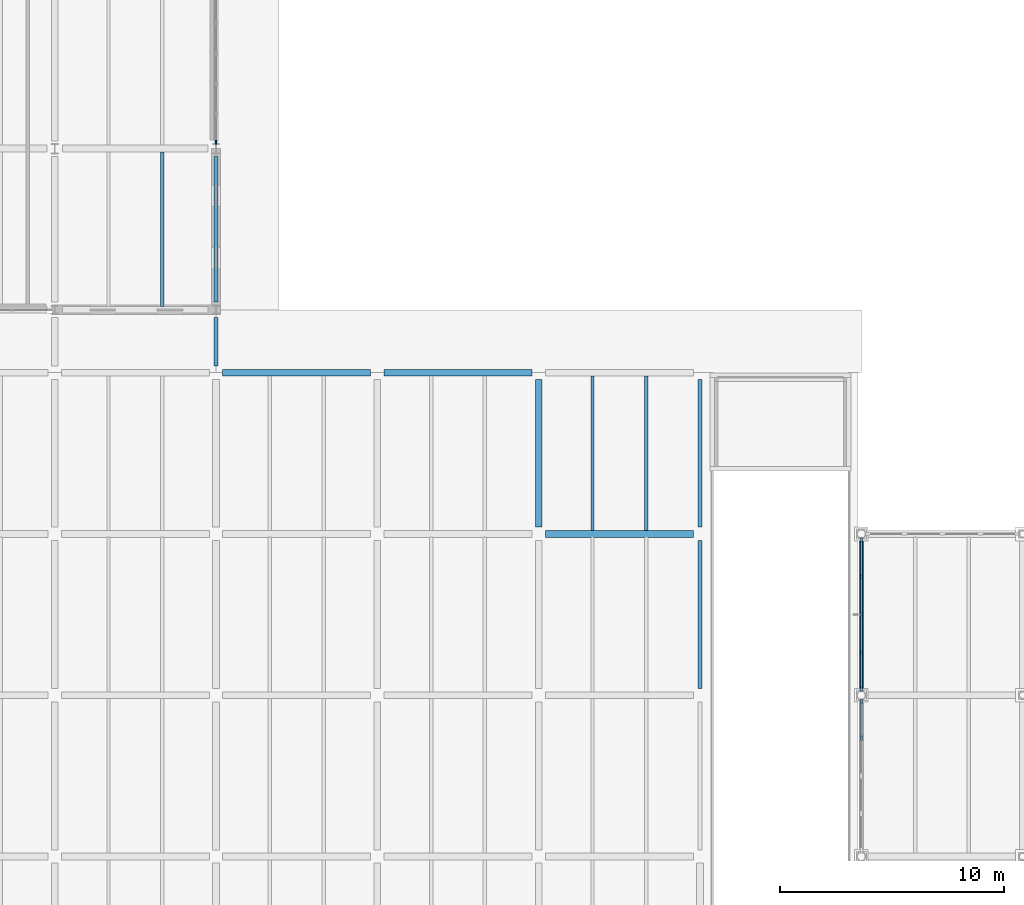
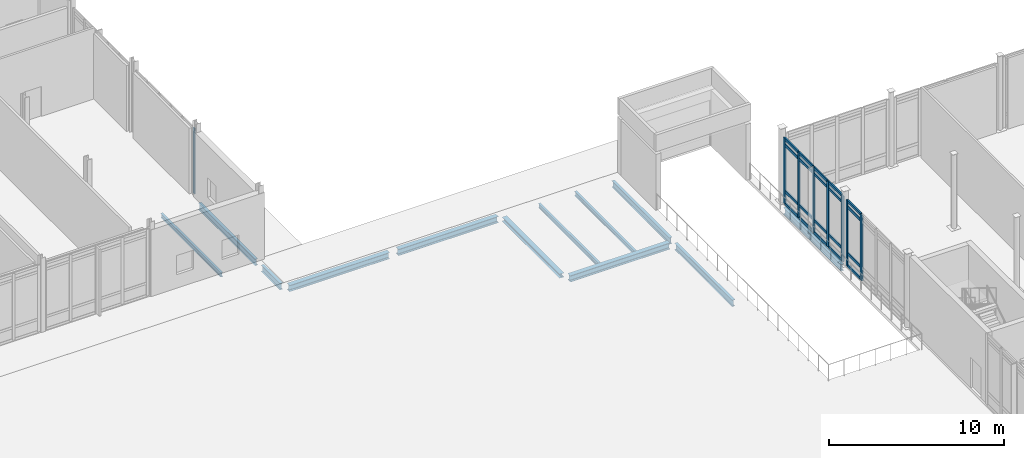
# One storey, part 34 of 89: 28 members, 12 beams, 3 elements without a shape of their own.
"""IFC4 building model written with IfcOpenShell, lengths in metres."""

from ifc_helpers import new_model, si_unit, direction, frame, origin, origin_2d, place, context, subcontext, project, spatial, rectangle, i_section, extrude, material, layer, layer_set, material_profile, profile_set, type_object, element, aggregate, save


model = new_model("IFC4")

# Units and contexts
model_context = context("Model", 3, precision=1e-05, world=origin(), true_north=direction((0.0, 1.0)))
body_context = subcontext(model_context, "Body", "Model", "MODEL_VIEW")
ifc_project = project(units=[si_unit("LENGTHUNIT", "METRE"), si_unit("AREAUNIT", "SQUARE_METRE"), si_unit("VOLUMEUNIT", "CUBIC_METRE"), si_unit("PLANEANGLEUNIT", "RADIAN"), si_unit("MASSUNIT", "GRAM", prefix="KILO")], contexts=[model_context])

# Site, building, storey
site_placement = place(None, origin())
site = spatial("IfcSite", under=ifc_project, at=site_placement, CompositionType="ELEMENT")
building_placement = place(site_placement, origin())
building = spatial("IfcBuilding", under=site, at=building_placement, Name="Zarrinpeak Specialist Clinic", CompositionType="ELEMENT")
storey_placement = place(building_placement, origin())
storey = spatial("IfcBuildingStorey", under=building, at=storey_placement, Name="L00", CompositionType="ELEMENT", Elevation=0.0)

# Beams
ifc_material_1 = material(Name="Steel S355", Category="steel")
ifc_material_profile_1 = material_profile(ifc_material_1, i_section(OverallWidth=0.300048828125, OverallDepth=0.2900390625, WebThickness=0.008544921875, FlangeThickness=0.013916015625, FilletRadius=0.027099609375, at=origin_2d()), Name="HEA 300")
ifc_profile_set_1 = profile_set([ifc_material_profile_1], Name="Steel S355")
beam_type_1 = type_object("IfcBeamType", Name="BM-HEA300", PredefinedType="BEAM", material=ifc_profile_set_1)
beam_1_placement = place(storey_placement, frame((79.199951171875, 72.298095703125, -0.364990234375), z_axis=(0.0, 1.0, 0.0), x_axis=(-1.0, 0.0, 0.0)))
element("IfcBeam", 1, at=beam_1_placement, inside=storey, type_object=beam_type_1, Name="L00 Primary Beam BM-L00-Y0363", PredefinedType="BEAM", context=body_context, shape_type="SweptSolid", body=[
    extrude(i_section(OverallWidth=0.300048828125, OverallDepth=0.2900390625, WebThickness=0.008544921875, FlangeThickness=0.013916015625, FilletRadius=0.027099609375, at=origin_2d()), origin(), (0.0, 0.0, 1.0), 6.60400390625),
])
ifc_material_profile_2 = material_profile(ifc_material_1, i_section(OverallWidth=0.300048828125, OverallDepth=0.43994140625, WebThickness=0.011474609375, FlangeThickness=0.02099609375, FilletRadius=0.027099609375, at=origin_2d()), Name="HEA 450")
ifc_profile_set_2 = profile_set([ifc_material_profile_2], Name="Steel S355")
beam_type_2 = type_object("IfcBeamType", Name="BM-HEA450", PredefinedType="BEAM", material=ifc_profile_set_2)
for number, where, z_axis, x_axis, name in (
    (2, (79.498046875, 72.0, -0.43994140625), (1.0, 0.0, 0.0), (0.0, 1.0, 0.0), "L00 Primary Floor Girder BM-L00-X0171"),
    (3, (65.097900390625, 79.199951171875, -0.43994140625), (1.0, 0.0, 0.0), (0.0, 1.0, 0.0), "L00 Primary Floor Girder BM-L00-X0182"),
    (4, (72.298095703125, 79.199951171875, -0.43994140625), (1.0, 0.0, 0.0), (0.0, 1.0, 0.0), "L00 Primary Floor Girder BM-L00-X0183"),
):
    element("IfcBeam", number, at=place(storey_placement, frame(where, z_axis=z_axis, x_axis=x_axis)), inside=storey, type_object=beam_type_2, Name=name, PredefinedType="BEAM", context=body_context, shape_type="SweptSolid", body=[
        extrude(i_section(OverallWidth=0.300048828125, OverallDepth=0.43994140625, WebThickness=0.011474609375, FlangeThickness=0.02099609375, FilletRadius=0.027099609375, at=origin_2d()), origin(), (0.0, 0.0, 1.0), 6.60400390625),
    ])
ifc_material_profile_3 = material_profile(ifc_material_1, i_section(OverallWidth=0.14990234375, OverallDepth=0.300048828125, WebThickness=0.007080078125, FlangeThickness=0.0107421875, FilletRadius=0.014892578125, at=origin_2d()), Name="IPE 300")
ifc_profile_set_3 = profile_set([ifc_material_profile_3], Name="Steel S355")
beam_type_3 = type_object("IfcBeamType", Name="BM-JST300", PredefinedType="JOIST", material=ifc_profile_set_3)
for number, where, z_axis, x_axis, name in (
    (5, (62.39990234375, 82.14794921875, -0.39990234375), (0.0, 1.0, 0.0), (-1.0, 0.0, 0.0), "L00 Composite Floor Joist JST-L00-0599"),
    (6, (81.60009765625, 72.14794921875, -0.3701171875), (0.0, 1.0, 0.0), (-1.0, 0.0, 0.0), "L00 Composite Floor Joist JST-L00-0686"),
    (7, (84.0, 72.14794921875, -0.3701171875), (0.0, 1.0, 0.0), (-1.0, 0.0, 0.0), "L00 Composite Floor Joist JST-L00-0687"),
):
    element("IfcBeam", number, at=place(storey_placement, frame(where, z_axis=z_axis, x_axis=x_axis)), inside=storey, type_object=beam_type_3, Name=name, PredefinedType="JOIST", context=body_context, shape_type="SweptSolid", body=[
        extrude(i_section(OverallWidth=0.14990234375, OverallDepth=0.300048828125, WebThickness=0.007080078125, FlangeThickness=0.0107421875, FilletRadius=0.014892578125, at=origin_2d()), origin(), (0.0, 0.0, 1.0), 6.904052734375),
    ])
ifc_material_profile_4 = material_profile(ifc_material_1, i_section(OverallWidth=0.18994140625, OverallDepth=0.449951171875, WebThickness=0.009521484375, FlangeThickness=0.0146484375, FilletRadius=0.02099609375, at=origin_2d()), Name="IPE 450")
ifc_profile_set_4 = profile_set([ifc_material_profile_4], Name="Steel S355")
beam_type_4 = type_object("IfcBeamType", Name="BM-SP450", PredefinedType="SPANDREL", material=ifc_profile_set_4)
beam_2_placement = place(storey_placement, frame((64.800048828125, 79.498046875, -0.445068359375), z_axis=(0.0, 1.0, 0.0), x_axis=(-1.0, 0.0, 0.0)))
element("IfcBeam", 8, at=beam_2_placement, inside=storey, type_object=beam_type_4, Name="L00 Perimeter Spandrel Beam BM-L00-Y0338", PredefinedType="SPANDREL", context=body_context, shape_type="SweptSolid", body=[
    extrude(i_section(OverallWidth=0.18994140625, OverallDepth=0.449951171875, WebThickness=0.009521484375, FlangeThickness=0.0146484375, FilletRadius=0.02099609375, at=origin_2d()), origin(), (0.0, 0.0, 1.0), 2.154052734375),
])
beam_3_placement = place(storey_placement, frame((64.800048828125, 82.347900390625, -0.47509765625), z_axis=(0.0, 1.0, 0.0), x_axis=(-1.0, 0.0, 0.0)))
element("IfcBeam", 9, at=beam_3_placement, inside=storey, type_object=beam_type_4, Name="L00 Perimeter Spandrel Beam BM-L00-Y0339", PredefinedType="SPANDREL", context=body_context, shape_type="SweptSolid", body=[
    extrude(i_section(OverallWidth=0.18994140625, OverallDepth=0.449951171875, WebThickness=0.009521484375, FlangeThickness=0.0146484375, FilletRadius=0.02099609375, at=origin_2d()), origin(), (0.0, 0.0, 1.0), 6.504150390625),
])
for number, where, z_axis, x_axis, name in (
    (10, (86.39990234375, 65.097900390625, -0.445068359375), (0.0, 1.0, 0.0), (-1.0, 0.0, 0.0), "L00 Perimeter Spandrel Beam BM-L00-Y0371"),
    (11, (86.39990234375, 72.298095703125, -0.445068359375), (0.0, 1.0, 0.0), (-1.0, 0.0, 0.0), "L00 Perimeter Spandrel Beam BM-L00-Y0372"),
    (12, (93.60009765625, 65.097900390625, -0.47509765625), (0.0, 1.0, 0.0), (-1.0, 0.0, 0.0), "L00 Perimeter Spandrel Beam BM-L00-Y0374"),
):
    element("IfcBeam", number, at=place(storey_placement, frame(where, z_axis=z_axis, x_axis=x_axis)), inside=storey, type_object=beam_type_4, Name=name, PredefinedType="SPANDREL", context=body_context, shape_type="SweptSolid", body=[
        extrude(i_section(OverallWidth=0.18994140625, OverallDepth=0.449951171875, WebThickness=0.009521484375, FlangeThickness=0.0146484375, FilletRadius=0.02099609375, at=origin_2d()), origin(), (0.0, 0.0, 1.0), 6.60400390625),
    ])

# Curtain wall, member
ifc_material_2 = material(Name="Anodised Aluminium Alloy 6063-T6", Category="aluminium")
ifc_layer_1 = layer(ifc_material_2, 0.1650390625)
ifc_layer_set_1 = layer_set([ifc_layer_1], Name="Anodised Aluminium Alloy 6063-T6")
curtain_wall_type_1 = type_object("IfcCurtainWallType", Name="CW-CLINIC", PredefinedType="NOTDEFINED", material=ifc_layer_set_1)
curtain_wall_1_placement = place(storey_placement, origin())
curtain_wall_1 = element("IfcCurtainWall", 13, at=curtain_wall_1_placement, inside=storey, type_object=curtain_wall_type_1, Name="L00 V6 Unitised Curtain Wall CW-L00-V6-133", PredefinedType="NOTDEFINED")
ifc_material_profile_5 = material_profile(ifc_material_2, rectangle(XDim=0.074951171875, YDim=0.179931640625, at=origin_2d()), Name="ALU 75x180")
ifc_profile_set_5 = profile_set([ifc_material_profile_5], Name="Anodised Aluminium Alloy 6063-T6")
member_type_1 = type_object("IfcMemberType", Name="CWM-75", PredefinedType="MULLION", material=ifc_profile_set_5)
member_1_placement = place(storey_placement, frame((64.800048828125, 89.487548828125, 0.0), z_axis=(0.0, 0.0, 1.0), x_axis=(-1.0, 0.0, 0.0)))
member_1 = element("IfcMember", 14, at=member_1_placement, type_object=member_type_1, Name="CW-03 mullion 1", PredefinedType="MULLION", context=body_context, shape_type="SweptSolid", body=[
    extrude(rectangle(XDim=0.074951171875, YDim=0.179931640625, at=origin_2d()), origin(), (0.0, 0.0, 1.0), 4.594970703125),
])
aggregate(curtain_wall_1, [member_1])

# Curtain wall, members
ifc_layer_2 = layer(ifc_material_2, 0.199951171875)
ifc_layer_set_2 = layer_set([ifc_layer_2], Name="Anodised Aluminium Alloy 6063-T6")
curtain_wall_type_2 = type_object("IfcCurtainWallType", Name="CW-HALL", PredefinedType="NOTDEFINED", material=ifc_layer_set_2)
curtain_wall_2_placement = place(storey_placement, origin())
curtain_wall_2 = element("IfcCurtainWall", 15, at=curtain_wall_2_placement, inside=storey, type_object=curtain_wall_type_2, Name="L00 V3 Unitised Curtain Wall CW-L00-V3-089", PredefinedType="NOTDEFINED")
ifc_material_profile_6 = material_profile(ifc_material_2, rectangle(XDim=0.090087890625, YDim=0.219970703125, at=origin_2d()), Name="ALU 90x220")
ifc_profile_set_6 = profile_set([ifc_material_profile_6], Name="Anodised Aluminium Alloy 6063-T6")
member_type_2 = type_object("IfcMemberType", Name="CWM-90", PredefinedType="MULLION", material=ifc_profile_set_6)
member_2_placement = place(storey_placement, frame((93.60009765625, 64.52685546875, 0.0), z_axis=(0.0, 0.0, 1.0), x_axis=(1.0, 0.0, 0.0)))
member_2 = element("IfcMember", 16, at=member_2_placement, type_object=member_type_2, Name="CW-02 mullion 1", PredefinedType="MULLION", context=body_context, shape_type="SweptSolid", body=[
    extrude(rectangle(XDim=0.090087890625, YDim=0.219970703125, at=origin_2d()), origin(), (0.0, 0.0, 1.0), 4.594970703125),
])
member_3_placement = place(storey_placement, frame((93.60009765625, 62.885986328125, 0.0), z_axis=(0.0, 0.0, 1.0), x_axis=(1.0, 0.0, 0.0)))
member_3 = element("IfcMember", 17, at=member_3_placement, type_object=member_type_2, Name="CW-02 mullion 2", PredefinedType="MULLION", context=body_context, shape_type="SweptSolid", body=[
    extrude(rectangle(XDim=0.090087890625, YDim=0.219970703125, at=origin_2d()), origin(), (0.0, 0.0, 1.0), 4.594970703125),
])

curtain_wall_3_placement = place(storey_placement, origin())
curtain_wall_3 = element("IfcCurtainWall", 18, at=curtain_wall_3_placement, inside=storey, type_object=curtain_wall_type_2, Name="L00 V3 Unitised Curtain Wall CW-L00-V3-090", PredefinedType="NOTDEFINED")
member_4_placement = place(storey_placement, frame((93.60009765625, 71.726806640625, 0.0), z_axis=(0.0, 0.0, 1.0), x_axis=(1.0, 0.0, 0.0)))
member_4 = element("IfcMember", 19, at=member_4_placement, type_object=member_type_2, Name="CW-02 mullion 1", PredefinedType="MULLION", context=body_context, shape_type="SweptSolid", body=[
    extrude(rectangle(XDim=0.090087890625, YDim=0.219970703125, at=origin_2d()), origin(), (0.0, 0.0, 1.0), 4.594970703125),
])
member_5_placement = place(storey_placement, frame((93.60009765625, 70.0859375, 0.0), z_axis=(0.0, 0.0, 1.0), x_axis=(1.0, 0.0, 0.0)))
member_5 = element("IfcMember", 20, at=member_5_placement, type_object=member_type_2, Name="CW-02 mullion 2", PredefinedType="MULLION", context=body_context, shape_type="SweptSolid", body=[
    extrude(rectangle(XDim=0.090087890625, YDim=0.219970703125, at=origin_2d()), origin(), (0.0, 0.0, 1.0), 4.594970703125),
])
member_6_placement = place(storey_placement, frame((93.60009765625, 68.39990234375, 0.0), z_axis=(0.0, 0.0, 1.0), x_axis=(1.0, 0.0, 0.0)))
member_6 = element("IfcMember", 21, at=member_6_placement, type_object=member_type_2, Name="CW-02 mullion 3", PredefinedType="MULLION", context=body_context, shape_type="SweptSolid", body=[
    extrude(rectangle(XDim=0.090087890625, YDim=0.219970703125, at=origin_2d()), origin(), (0.0, 0.0, 1.0), 4.594970703125),
])
member_7_placement = place(storey_placement, frame((93.60009765625, 66.714111328125, 0.0), z_axis=(0.0, 0.0, 1.0), x_axis=(1.0, 0.0, 0.0)))
member_7 = element("IfcMember", 22, at=member_7_placement, type_object=member_type_2, Name="CW-02 mullion 4", PredefinedType="MULLION", context=body_context, shape_type="SweptSolid", body=[
    extrude(rectangle(XDim=0.090087890625, YDim=0.219970703125, at=origin_2d()), origin(), (0.0, 0.0, 1.0), 4.594970703125),
])
member_8_placement = place(storey_placement, frame((93.60009765625, 65.0732421875, 0.0), z_axis=(0.0, 0.0, 1.0), x_axis=(1.0, 0.0, 0.0)))
member_8 = element("IfcMember", 23, at=member_8_placement, type_object=member_type_2, Name="CW-02 mullion 5", PredefinedType="MULLION", context=body_context, shape_type="SweptSolid", body=[
    extrude(rectangle(XDim=0.090087890625, YDim=0.219970703125, at=origin_2d()), origin(), (0.0, 0.0, 1.0), 4.594970703125),
])

# Member
ifc_material_profile_7 = material_profile(ifc_material_2, rectangle(XDim=0.090087890625, YDim=0.18994140625, at=origin_2d()), Name="ALU 90x190")
ifc_profile_set_7 = profile_set([ifc_material_profile_7], Name="Anodised Aluminium Alloy 6063-T6")
member_type_3 = type_object("IfcMemberType", Name="CWT-90", PredefinedType="USERDEFINED", material=ifc_profile_set_7)
member_9_placement = place(storey_placement, frame((93.60009765625, 64.481689453125, 0.044921875), z_axis=(0.0, -1.0, 0.0), x_axis=(1.0, 0.0, 0.0)))
member_9 = element("IfcMember", 24, at=member_9_placement, type_object=member_type_3, Name="CW-02 transom 1.1", ObjectType="TRANSOM", PredefinedType="USERDEFINED", context=body_context, shape_type="SweptSolid", body=[
    extrude(rectangle(XDim=0.090087890625, YDim=0.18994140625, at=origin_2d()), origin(), (0.0, 0.0, 1.0), 1.55078125),
])

member_10_placement = place(storey_placement, frame((93.60009765625, 64.481689453125, 0.89990234375), z_axis=(0.0, -1.0, 0.0), x_axis=(1.0, 0.0, 0.0)))
member_10 = element("IfcMember", 25, at=member_10_placement, type_object=member_type_3, Name="CW-02 transom 1.2", ObjectType="TRANSOM", PredefinedType="USERDEFINED", context=body_context, shape_type="SweptSolid", body=[
    extrude(rectangle(XDim=0.090087890625, YDim=0.18994140625, at=origin_2d()), origin(), (0.0, 0.0, 1.0), 1.55078125),
])

member_11_placement = place(storey_placement, frame((93.60009765625, 64.481689453125, 4.14501953125), z_axis=(0.0, -1.0, 0.0), x_axis=(1.0, 0.0, 0.0)))
member_11 = element("IfcMember", 26, at=member_11_placement, type_object=member_type_3, Name="CW-02 transom 1.3", ObjectType="TRANSOM", PredefinedType="USERDEFINED", context=body_context, shape_type="SweptSolid", body=[
    extrude(rectangle(XDim=0.090087890625, YDim=0.18994140625, at=origin_2d()), origin(), (0.0, 0.0, 1.0), 1.55078125),
])

member_12_placement = place(storey_placement, frame((93.60009765625, 64.481689453125, 4.550048828125), z_axis=(0.0, -1.0, 0.0), x_axis=(1.0, 0.0, 0.0)))
member_12 = element("IfcMember", 27, at=member_12_placement, type_object=member_type_3, Name="CW-02 transom 1.4", ObjectType="TRANSOM", PredefinedType="USERDEFINED", context=body_context, shape_type="SweptSolid", body=[
    extrude(rectangle(XDim=0.090087890625, YDim=0.18994140625, at=origin_2d()), origin(), (0.0, 0.0, 1.0), 1.55078125),
])

aggregate(curtain_wall_2, [member_2, member_3, member_9, member_10, member_11, member_12])

member_13_placement = place(storey_placement, frame((93.60009765625, 71.681884765625, 0.044921875), z_axis=(0.0, -1.0, 0.0), x_axis=(1.0, 0.0, 0.0)))
member_13 = element("IfcMember", 28, at=member_13_placement, type_object=member_type_3, Name="CW-02 transom 1.1", ObjectType="TRANSOM", PredefinedType="USERDEFINED", context=body_context, shape_type="SweptSolid", body=[
    extrude(rectangle(XDim=0.090087890625, YDim=0.18994140625, at=origin_2d()), origin(), (0.0, 0.0, 1.0), 1.551025390625),
])

member_14_placement = place(storey_placement, frame((93.60009765625, 71.681884765625, 0.89990234375), z_axis=(0.0, -1.0, 0.0), x_axis=(1.0, 0.0, 0.0)))
member_14 = element("IfcMember", 29, at=member_14_placement, type_object=member_type_3, Name="CW-02 transom 1.2", ObjectType="TRANSOM", PredefinedType="USERDEFINED", context=body_context, shape_type="SweptSolid", body=[
    extrude(rectangle(XDim=0.090087890625, YDim=0.18994140625, at=origin_2d()), origin(), (0.0, 0.0, 1.0), 1.551025390625),
])

member_15_placement = place(storey_placement, frame((93.60009765625, 71.681884765625, 4.14501953125), z_axis=(0.0, -1.0, 0.0), x_axis=(1.0, 0.0, 0.0)))
member_15 = element("IfcMember", 30, at=member_15_placement, type_object=member_type_3, Name="CW-02 transom 1.3", ObjectType="TRANSOM", PredefinedType="USERDEFINED", context=body_context, shape_type="SweptSolid", body=[
    extrude(rectangle(XDim=0.090087890625, YDim=0.18994140625, at=origin_2d()), origin(), (0.0, 0.0, 1.0), 1.551025390625),
])

member_16_placement = place(storey_placement, frame((93.60009765625, 71.681884765625, 4.550048828125), z_axis=(0.0, -1.0, 0.0), x_axis=(1.0, 0.0, 0.0)))
member_16 = element("IfcMember", 31, at=member_16_placement, type_object=member_type_3, Name="CW-02 transom 1.4", ObjectType="TRANSOM", PredefinedType="USERDEFINED", context=body_context, shape_type="SweptSolid", body=[
    extrude(rectangle(XDim=0.090087890625, YDim=0.18994140625, at=origin_2d()), origin(), (0.0, 0.0, 1.0), 1.551025390625),
])

member_17_placement = place(storey_placement, frame((93.60009765625, 70.041015625, 0.044921875), z_axis=(0.0, -1.0, 0.0), x_axis=(1.0, 0.0, 0.0)))
member_17 = element("IfcMember", 32, at=member_17_placement, type_object=member_type_3, Name="CW-02 transom 2.1", ObjectType="TRANSOM", PredefinedType="USERDEFINED", context=body_context, shape_type="SweptSolid", body=[
    extrude(rectangle(XDim=0.090087890625, YDim=0.18994140625, at=origin_2d()), origin(), (0.0, 0.0, 1.0), 1.595947265625),
])

member_18_placement = place(storey_placement, frame((93.60009765625, 70.041015625, 0.89990234375), z_axis=(0.0, -1.0, 0.0), x_axis=(1.0, 0.0, 0.0)))
member_18 = element("IfcMember", 33, at=member_18_placement, type_object=member_type_3, Name="CW-02 transom 2.2", ObjectType="TRANSOM", PredefinedType="USERDEFINED", context=body_context, shape_type="SweptSolid", body=[
    extrude(rectangle(XDim=0.090087890625, YDim=0.18994140625, at=origin_2d()), origin(), (0.0, 0.0, 1.0), 1.595947265625),
])

member_19_placement = place(storey_placement, frame((93.60009765625, 70.041015625, 4.14501953125), z_axis=(0.0, -1.0, 0.0), x_axis=(1.0, 0.0, 0.0)))
member_19 = element("IfcMember", 34, at=member_19_placement, type_object=member_type_3, Name="CW-02 transom 2.3", ObjectType="TRANSOM", PredefinedType="USERDEFINED", context=body_context, shape_type="SweptSolid", body=[
    extrude(rectangle(XDim=0.090087890625, YDim=0.18994140625, at=origin_2d()), origin(), (0.0, 0.0, 1.0), 1.595947265625),
])

member_20_placement = place(storey_placement, frame((93.60009765625, 70.041015625, 4.550048828125), z_axis=(0.0, -1.0, 0.0), x_axis=(1.0, 0.0, 0.0)))
member_20 = element("IfcMember", 35, at=member_20_placement, type_object=member_type_3, Name="CW-02 transom 2.4", ObjectType="TRANSOM", PredefinedType="USERDEFINED", context=body_context, shape_type="SweptSolid", body=[
    extrude(rectangle(XDim=0.090087890625, YDim=0.18994140625, at=origin_2d()), origin(), (0.0, 0.0, 1.0), 1.595947265625),
])

member_21_placement = place(storey_placement, frame((93.60009765625, 68.35498046875, 0.044921875), z_axis=(0.0, -1.0, 0.0), x_axis=(1.0, 0.0, 0.0)))
member_21 = element("IfcMember", 36, at=member_21_placement, type_object=member_type_3, Name="CW-02 transom 3.1", ObjectType="TRANSOM", PredefinedType="USERDEFINED", context=body_context, shape_type="SweptSolid", body=[
    extrude(rectangle(XDim=0.090087890625, YDim=0.18994140625, at=origin_2d()), origin(), (0.0, 0.0, 1.0), 1.595947265625),
])

member_22_placement = place(storey_placement, frame((93.60009765625, 68.35498046875, 0.89990234375), z_axis=(0.0, -1.0, 0.0), x_axis=(1.0, 0.0, 0.0)))
member_22 = element("IfcMember", 37, at=member_22_placement, type_object=member_type_3, Name="CW-02 transom 3.2", ObjectType="TRANSOM", PredefinedType="USERDEFINED", context=body_context, shape_type="SweptSolid", body=[
    extrude(rectangle(XDim=0.090087890625, YDim=0.18994140625, at=origin_2d()), origin(), (0.0, 0.0, 1.0), 1.595947265625),
])

member_23_placement = place(storey_placement, frame((93.60009765625, 68.35498046875, 4.14501953125), z_axis=(0.0, -1.0, 0.0), x_axis=(1.0, 0.0, 0.0)))
member_23 = element("IfcMember", 38, at=member_23_placement, type_object=member_type_3, Name="CW-02 transom 3.3", ObjectType="TRANSOM", PredefinedType="USERDEFINED", context=body_context, shape_type="SweptSolid", body=[
    extrude(rectangle(XDim=0.090087890625, YDim=0.18994140625, at=origin_2d()), origin(), (0.0, 0.0, 1.0), 1.595947265625),
])

member_24_placement = place(storey_placement, frame((93.60009765625, 68.35498046875, 4.550048828125), z_axis=(0.0, -1.0, 0.0), x_axis=(1.0, 0.0, 0.0)))
member_24 = element("IfcMember", 39, at=member_24_placement, type_object=member_type_3, Name="CW-02 transom 3.4", ObjectType="TRANSOM", PredefinedType="USERDEFINED", context=body_context, shape_type="SweptSolid", body=[
    extrude(rectangle(XDim=0.090087890625, YDim=0.18994140625, at=origin_2d()), origin(), (0.0, 0.0, 1.0), 1.595947265625),
])

member_25_placement = place(storey_placement, frame((93.60009765625, 66.669189453125, 0.044921875), z_axis=(0.0, -1.0, 0.0), x_axis=(1.0, 0.0, 0.0)))
member_25 = element("IfcMember", 40, at=member_25_placement, type_object=member_type_3, Name="CW-02 transom 4.1", ObjectType="TRANSOM", PredefinedType="USERDEFINED", context=body_context, shape_type="SweptSolid", body=[
    extrude(rectangle(XDim=0.090087890625, YDim=0.18994140625, at=origin_2d()), origin(), (0.0, 0.0, 1.0), 1.551025390625),
])

member_26_placement = place(storey_placement, frame((93.60009765625, 66.669189453125, 0.89990234375), z_axis=(0.0, -1.0, 0.0), x_axis=(1.0, 0.0, 0.0)))
member_26 = element("IfcMember", 41, at=member_26_placement, type_object=member_type_3, Name="CW-02 transom 4.2", ObjectType="TRANSOM", PredefinedType="USERDEFINED", context=body_context, shape_type="SweptSolid", body=[
    extrude(rectangle(XDim=0.090087890625, YDim=0.18994140625, at=origin_2d()), origin(), (0.0, 0.0, 1.0), 1.551025390625),
])

member_27_placement = place(storey_placement, frame((93.60009765625, 66.669189453125, 4.14501953125), z_axis=(0.0, -1.0, 0.0), x_axis=(1.0, 0.0, 0.0)))
member_27 = element("IfcMember", 42, at=member_27_placement, type_object=member_type_3, Name="CW-02 transom 4.3", ObjectType="TRANSOM", PredefinedType="USERDEFINED", context=body_context, shape_type="SweptSolid", body=[
    extrude(rectangle(XDim=0.090087890625, YDim=0.18994140625, at=origin_2d()), origin(), (0.0, 0.0, 1.0), 1.551025390625),
])

member_28_placement = place(storey_placement, frame((93.60009765625, 66.669189453125, 4.550048828125), z_axis=(0.0, -1.0, 0.0), x_axis=(1.0, 0.0, 0.0)))
member_28 = element("IfcMember", 43, at=member_28_placement, type_object=member_type_3, Name="CW-02 transom 4.4", ObjectType="TRANSOM", PredefinedType="USERDEFINED", context=body_context, shape_type="SweptSolid", body=[
    extrude(rectangle(XDim=0.090087890625, YDim=0.18994140625, at=origin_2d()), origin(), (0.0, 0.0, 1.0), 1.551025390625),
])

aggregate(curtain_wall_3, [member_4, member_5, member_6, member_7, member_8, member_13, member_14, member_15, member_16, member_17, member_18, member_19, member_20, member_21, member_22, member_23, member_24, member_25, member_26, member_27, member_28])

save(model, "model.ifc")
